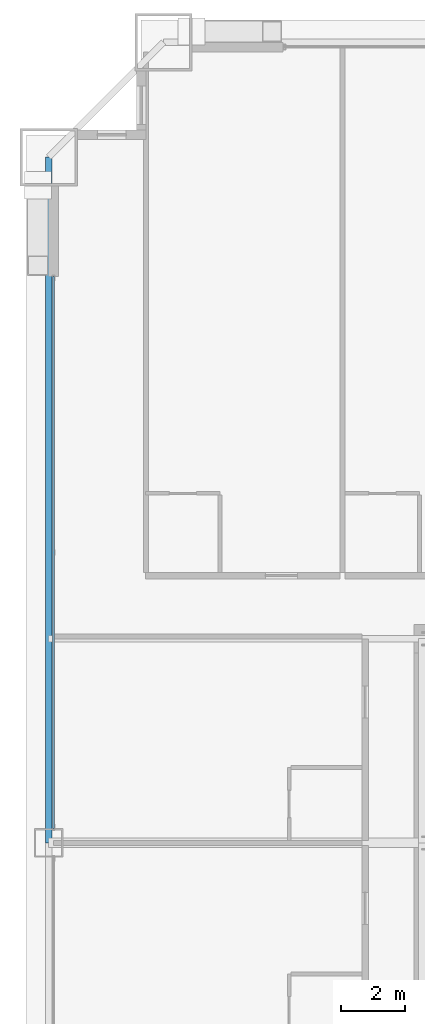
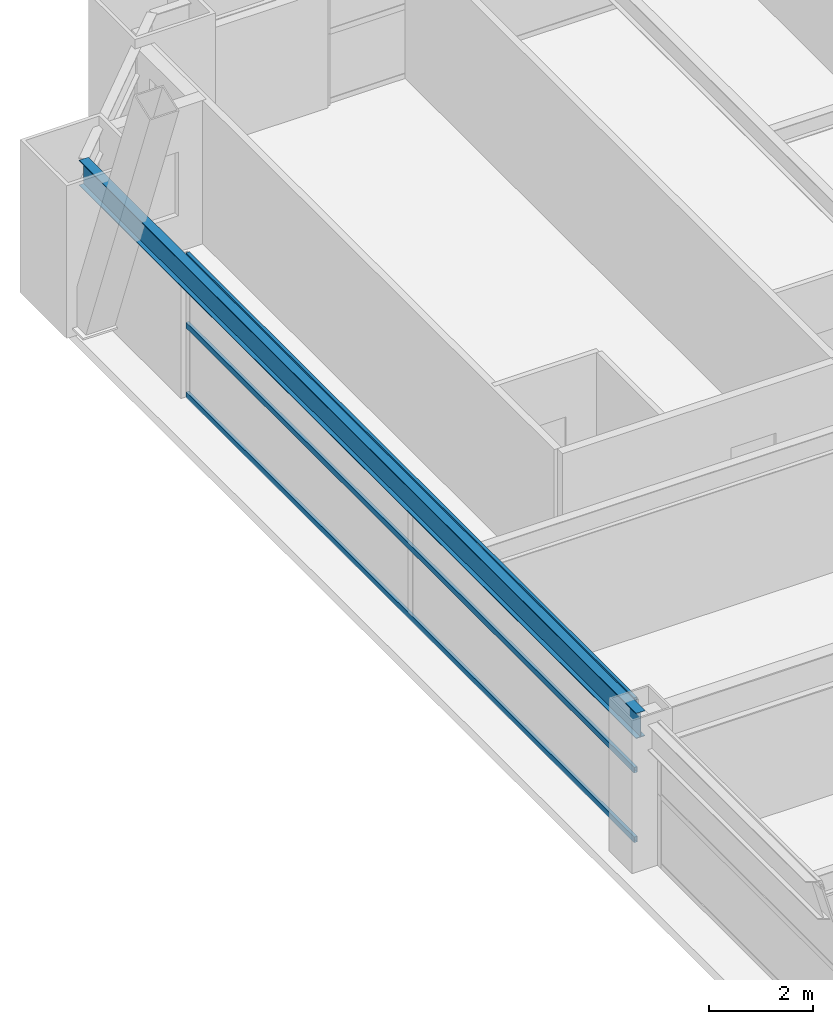
# One storey, part 23 of 43: 3 members, 1 beam, 1 element without a shape of its own.
"""IFC4 building model written with IfcOpenShell, lengths in metres."""

from ifc_helpers import new_model, si_unit, direction, frame, origin, origin_2d, place, context, subcontext, project, spatial, hollow_rectangle, i_section, extrude, source, transform, mapped, material, layer, layer_set, material_profile, profile_set, type_object, element, aggregate, save


model = new_model("IFC4")

# Units and contexts
model_context = context("Model", 3, precision=1e-05, world=origin(), true_north=direction((0.0, 1.0)))
body_context = subcontext(model_context, "Body", "Model", "MODEL_VIEW")
ifc_project = project(units=[si_unit("LENGTHUNIT", "METRE"), si_unit("AREAUNIT", "SQUARE_METRE"), si_unit("VOLUMEUNIT", "CUBIC_METRE"), si_unit("PLANEANGLEUNIT", "RADIAN"), si_unit("MASSUNIT", "GRAM", prefix="KILO"), si_unit("THERMODYNAMICTEMPERATUREUNIT", "KELVIN"), si_unit("POWERUNIT", "WATT")], contexts=[model_context])

# Site, building, storey
site_placement = place(None, origin())
site = spatial("IfcSite", under=ifc_project, at=site_placement, CompositionType="ELEMENT")
building_placement = place(site_placement, origin())
building = spatial("IfcBuilding", under=site, at=building_placement, Name="Yuzanri Waterfront Tower", CompositionType="ELEMENT")
storey_placement = place(building_placement, frame((0.0, 0.0, 46.0)))
storey = spatial("IfcBuildingStorey", under=building, at=storey_placement, Name="L11", CompositionType="ELEMENT", Elevation=46.0)

# Beam
ifc_material_1 = material(Name="Steel Q355B", Category="steel")
ifc_material_profile_1 = material_profile(ifc_material_1, i_section(OverallWidth=0.199951171875, OverallDepth=0.60009765625, WebThickness=0.010986328125, FlangeThickness=0.01708984375, at=origin_2d()), Name="HN 600x200x11x17")
ifc_profile_set_1 = profile_set([ifc_material_profile_1], Name="Steel Q355B")
beam_type = type_object("IfcBeamType", Name="Perimeter Spandrel Q355B HN 600x200", PredefinedType="SPANDREL", material=ifc_profile_set_1)
shared_shape_1 = source(origin(), body_context, "Body", "SweptSolid", [
    extrude(i_section(OverallWidth=0.199951171875, OverallDepth=0.60009765625, WebThickness=0.010986328125, FlangeThickness=0.01708984375, at=origin_2d()), origin(), (0.0, 0.0, 1.0), 21.5),
])
beam_placement = place(storey_placement, frame((11.89990234375, 47.300048828125, 3.080078125), z_axis=(0.0, -1.0, 0.0), x_axis=(1.0, 0.0, 0.0)))
element("IfcBeam", 1, at=beam_placement, inside=storey, type_object=beam_type, Name="L11 Perimeter Spandrel W3-W2", PredefinedType="SPANDREL", context=body_context, shape_type="MappedRepresentation", body=[
    mapped(shared_shape_1, transform((0.0, 0.0, 0.0), scale=1.0)),
])

# Curtain wall, members
ifc_material_2 = material(Name="Anodized Architectural Bronze", Category="metal")
ifc_layer = layer(ifc_material_2, 0.159912109375)
ifc_layer_set = layer_set([ifc_layer], Name="Anodized Architectural Bronze")
curtain_wall_type = type_object("IfcCurtainWallType", Name="Anodized Bronze Hotel Lower-Tier Recessed Unitized Curtain Wall 8100", PredefinedType="NOTDEFINED", material=ifc_layer_set)
curtain_wall_placement = place(storey_placement, origin())
curtain_wall = element("IfcCurtainWall", 2, at=curtain_wall_placement, inside=storey, type_object=curtain_wall_type, Name="L11 Curtain Wall CW-L11-WR", PredefinedType="NOTDEFINED")
ifc_material_3 = material(Name="Anodized Architectural Bronze", Category="metal")
ifc_material_profile_2 = material_profile(ifc_material_3, hollow_rectangle(XDim=0.070068359375, YDim=0.135009765625, WallThickness=0.00341796875, at=origin_2d()), Name="CWT 70x135")
ifc_profile_set_2 = profile_set([ifc_material_profile_2], Name="Anodized Architectural Bronze")
member_type = type_object("IfcMemberType", Name="Anodized Bronze Standard Curtain-Wall Transom 70x135", PredefinedType="USERDEFINED", material=ifc_profile_set_2)
shared_shape_2 = source(origin(), body_context, "Body", "SweptSolid", [
    extrude(hollow_rectangle(XDim=0.070068359375, YDim=0.135009765625, WallThickness=0.00341796875, at=origin_2d()), origin(), (0.0, 0.0, 1.0), 17.300048828125),
])
member_1_placement = place(storey_placement, frame((12.050048828125, 26.25, 0.050048828125), z_axis=(0.0, 1.0, 0.0), x_axis=(-1.0, 0.0, 0.0)))
member_1 = element("IfcMember", 3, at=member_1_placement, type_object=member_type, Name="CW-L11-WR Transom 1", ObjectType="TRANSOM", PredefinedType="USERDEFINED", context=body_context, shape_type="MappedRepresentation", body=[
    mapped(shared_shape_2, transform((0.0, 0.0, 0.0), scale=1.0)),
])
member_2_placement = place(storey_placement, frame((12.050048828125, 26.25, 1.68994140625), z_axis=(0.0, 1.0, 0.0), x_axis=(-1.0, 0.0, 0.0)))
member_2 = element("IfcMember", 4, at=member_2_placement, type_object=member_type, Name="CW-L11-WR Transom 2", ObjectType="TRANSOM", PredefinedType="USERDEFINED", context=body_context, shape_type="MappedRepresentation", body=[
    mapped(shared_shape_2, transform((0.0, 0.0, 0.0), scale=1.0)),
])
member_3_placement = place(storey_placement, frame((12.050048828125, 26.25, 3.330078125), z_axis=(0.0, 1.0, 0.0), x_axis=(-1.0, 0.0, 0.0)))
member_3 = element("IfcMember", 5, at=member_3_placement, type_object=member_type, Name="CW-L11-WR Transom 3", ObjectType="TRANSOM", PredefinedType="USERDEFINED", context=body_context, shape_type="MappedRepresentation", body=[
    mapped(shared_shape_2, transform((0.0, 0.0, 0.0), scale=1.0)),
])
aggregate(curtain_wall, [member_1, member_2, member_3])

save(model, "model.ifc")
